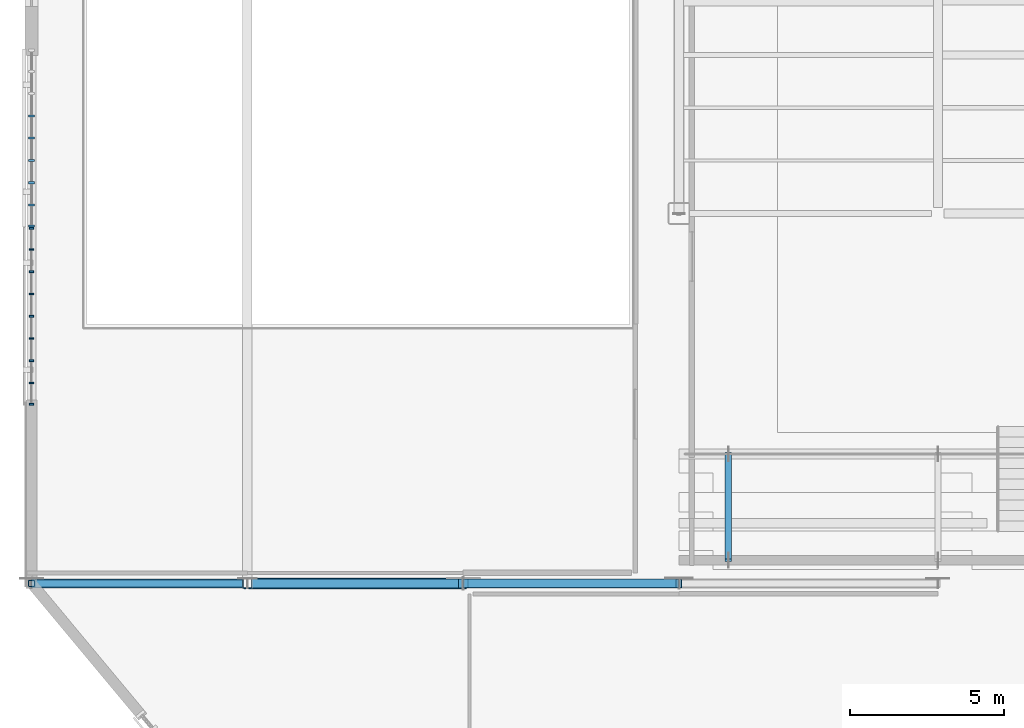
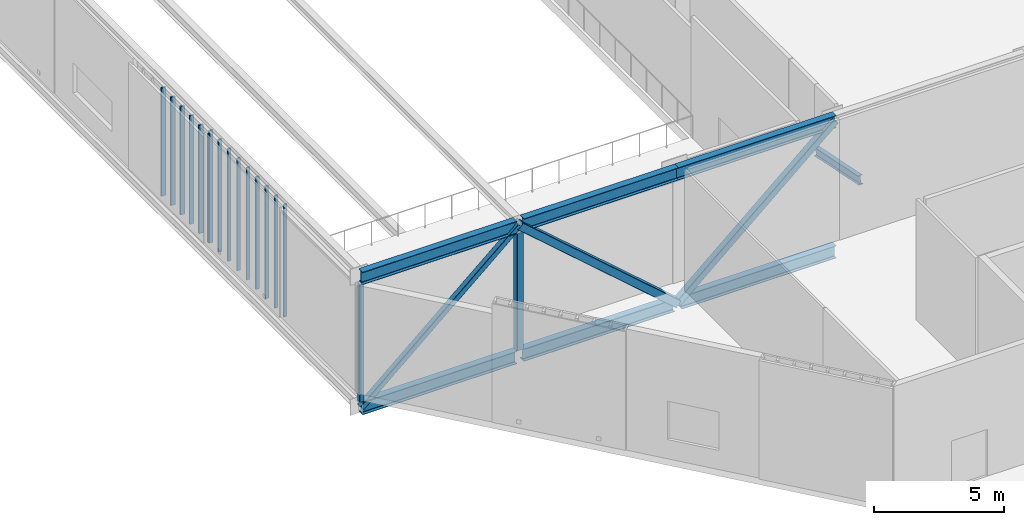
# One storey, part 12 of 135: 21 members, 6 beams, 2 elements without a shape of their own.
"""IFC4 building model written with IfcOpenShell, lengths in metres."""

from ifc_helpers import new_model, si_unit, direction, frame, origin, origin_2d, place, context, subcontext, project, spatial, rectangle, hollow_rectangle, i_section, extrude, material, material_profile, profile_set, type_object, element, aggregate, save


model = new_model("IFC4")

# Units and contexts
model_context = context("Model", 3, precision=1e-05, world=origin(), true_north=direction((0.0, 1.0)))
body_context = subcontext(model_context, "Body", "Model", "MODEL_VIEW")
ifc_project = project(units=[si_unit("LENGTHUNIT", "METRE"), si_unit("AREAUNIT", "SQUARE_METRE"), si_unit("VOLUMEUNIT", "CUBIC_METRE"), si_unit("PLANEANGLEUNIT", "RADIAN"), si_unit("MASSUNIT", "GRAM", prefix="KILO")], contexts=[model_context])

# Site, building, storey
site_placement = place(None, origin())
site = spatial("IfcSite", under=ifc_project, at=site_placement, CompositionType="ELEMENT")
building_placement = place(site_placement, origin())
building = spatial("IfcBuilding", under=site, at=building_placement, Name="Larkvane Passage Sports Hall", CompositionType="ELEMENT")
storey_placement = place(building_placement, frame((0.0, 0.0, 10.800048828125)))
storey = spatial("IfcBuildingStorey", under=building, at=storey_placement, Name="L02", CompositionType="ELEMENT", Elevation=10.800048828125)

# Beams
ifc_material_1 = material(Name="Steel S460N", Category="steel")
ifc_material_profile_1 = material_profile(ifc_material_1, i_section(OverallWidth=0.300048828125, OverallDepth=0.587890625, WebThickness=0.011962890625, FlangeThickness=0.02001953125, FilletRadius=0.02197265625, at=origin_2d()), Name="H-588x300x12x20")
ifc_profile_set_1 = profile_set([ifc_material_profile_1], Name="Steel S460N")
beam_type = type_object("IfcBeamType", Name="BM-STL-H588", PredefinedType="BEAM", material=ifc_profile_set_1)
for number, where, z_axis, x_axis, name in (
    (1, (13.800048828125, 39.60009765625, -0.714111328125), (1.0, 0.0, 0.0), (0.0, 1.0, 0.0), "Cantilever truss CT-W2A-1 bottom chord 1"),
    (2, (13.800048828125, 39.60009765625, 5.385986328125), (1.0, 0.0, 0.0), (0.0, 1.0, 0.0), "Cantilever truss CT-W2A-1 top chord 1"),
):
    element("IfcBeam", number, at=place(storey_placement, frame(where, z_axis=z_axis, x_axis=x_axis)), inside=storey, type_object=beam_type, Name=name, PredefinedType="BEAM", context=body_context, shape_type="SweptSolid", body=[
        extrude(i_section(OverallWidth=0.300048828125, OverallDepth=0.587890625, WebThickness=0.011962890625, FlangeThickness=0.02001953125, FilletRadius=0.02197265625, at=origin_2d()), origin(), (0.0, 0.0, 1.0), 6.844970703125),
    ])
beam_1_placement = place(storey_placement, frame((20.955078125, 39.60009765625, -0.714111328125), z_axis=(1.0, 0.0, 0.0), x_axis=(0.0, 1.0, 0.0)))
element("IfcBeam", 3, at=beam_1_placement, inside=storey, type_object=beam_type, Name="Cantilever truss CT-W2A-1 bottom chord 2", PredefinedType="BEAM", context=body_context, shape_type="SweptSolid", body=[
    extrude(i_section(OverallWidth=0.300048828125, OverallDepth=0.587890625, WebThickness=0.011962890625, FlangeThickness=0.02001953125, FilletRadius=0.02197265625, at=origin_2d()), origin(), (0.0, 0.0, 1.0), 6.68994140625),
])
for number, where, z_axis, x_axis, name in (
    (4, (20.955078125, 39.60009765625, 5.385986328125), (1.0, 0.0, 0.0), (0.0, 1.0, 0.0), "Cantilever truss CT-W2A-1 top chord 2"),
    (5, (27.955078125, 39.60009765625, -0.714111328125), (1.0, 0.0, 0.0), (0.0, 1.0, 0.0), "Cantilever truss CT-W2A-1 bottom chord 3"),
):
    element("IfcBeam", number, at=place(storey_placement, frame(where, z_axis=z_axis, x_axis=x_axis)), inside=storey, type_object=beam_type, Name=name, PredefinedType="BEAM", context=body_context, shape_type="SweptSolid", body=[
        extrude(i_section(OverallWidth=0.300048828125, OverallDepth=0.587890625, WebThickness=0.011962890625, FlangeThickness=0.02001953125, FilletRadius=0.02197265625, at=origin_2d()), origin(), (0.0, 0.0, 1.0), 6.844970703125),
    ])
beam_2_placement = place(storey_placement, frame((27.800048828125, 39.60009765625, 5.385986328125), z_axis=(1.0, 0.0, 0.0), x_axis=(0.0, 1.0, 0.0)))
element("IfcBeam", 6, at=beam_2_placement, inside=storey, type_object=beam_type, Name="Cantilever truss CT-W2A-1 top chord 3", PredefinedType="BEAM", context=body_context, shape_type="SweptSolid", body=[
    extrude(i_section(OverallWidth=0.300048828125, OverallDepth=0.587890625, WebThickness=0.011962890625, FlangeThickness=0.02001953125, FilletRadius=0.02197265625, at=origin_2d()), origin(), (0.0, 0.0, 1.0), 7.0),
])

# Curtain wall, members
ifc_material_2 = material(Name="Thermally broken aluminium and low-E glazing", Category="aluminium")
curtain_wall_type_1 = type_object("IfcCurtainWallType", Name="CW-UNIT-COURT", PredefinedType="USERDEFINED", material=ifc_material_2)
curtain_wall_1_placement = place(storey_placement, origin())
curtain_wall_1 = element("IfcCurtainWall", 7, at=curtain_wall_1_placement, inside=storey, type_object=curtain_wall_type_1, Name="Curtain wall CW5-L02-092", ObjectType="UNITISED CURTAIN WALL", PredefinedType="USERDEFINED")
ifc_material_3 = material(Name="Anodised aluminium 6063-T6", Category="aluminium")
ifc_material_profile_2 = material_profile(ifc_material_3, rectangle(XDim=0.06005859375, YDim=0.14990234375, at=origin_2d()), Name="ALU-MUL-60x150")
ifc_profile_set_2 = profile_set([ifc_material_profile_2], Name="Anodised aluminium 6063-T6")
member_type_1 = type_object("IfcMemberType", Name="CW-MUL-60x150", PredefinedType="MULLION", material=ifc_profile_set_2)
member_1_placement = place(storey_placement, frame((13.800048828125, 45.40771484375, 0.0), z_axis=(0.0, 0.0, 1.0), x_axis=(0.0, 1.0, 0.0)))
member_1 = element("IfcMember", 8, at=member_1_placement, type_object=member_type_1, Name="CW-01 mullion 1", PredefinedType="MULLION", context=body_context, shape_type="SweptSolid", body=[
    extrude(rectangle(XDim=0.06005859375, YDim=0.14990234375, at=origin_2d()), origin(), (0.0, 0.0, 1.0), 5.27783203125),
])
member_2_placement = place(storey_placement, frame((13.800048828125, 46.10009765625, 0.0), z_axis=(0.0, 0.0, 1.0), x_axis=(0.0, 1.0, 0.0)))
member_2 = element("IfcMember", 9, at=member_2_placement, type_object=member_type_1, Name="CW-01 mullion 2", PredefinedType="MULLION", context=body_context, shape_type="SweptSolid", body=[
    extrude(rectangle(XDim=0.06005859375, YDim=0.14990234375, at=origin_2d()), origin(), (0.0, 0.0, 1.0), 5.27783203125),
])
member_3_placement = place(storey_placement, frame((13.800048828125, 46.822265625, 0.0), z_axis=(0.0, 0.0, 1.0), x_axis=(0.0, 1.0, 0.0)))
member_3 = element("IfcMember", 10, at=member_3_placement, type_object=member_type_1, Name="CW-01 mullion 3", PredefinedType="MULLION", context=body_context, shape_type="SweptSolid", body=[
    extrude(rectangle(XDim=0.06005859375, YDim=0.14990234375, at=origin_2d()), origin(), (0.0, 0.0, 1.0), 5.27783203125),
])
member_4_placement = place(storey_placement, frame((13.800048828125, 47.54443359375, 0.0), z_axis=(0.0, 0.0, 1.0), x_axis=(0.0, 1.0, 0.0)))
member_4 = element("IfcMember", 11, at=member_4_placement, type_object=member_type_1, Name="CW-01 mullion 4", PredefinedType="MULLION", context=body_context, shape_type="SweptSolid", body=[
    extrude(rectangle(XDim=0.06005859375, YDim=0.14990234375, at=origin_2d()), origin(), (0.0, 0.0, 1.0), 5.27783203125),
])
member_5_placement = place(storey_placement, frame((13.800048828125, 48.2666015625, 0.0), z_axis=(0.0, 0.0, 1.0), x_axis=(0.0, 1.0, 0.0)))
member_5 = element("IfcMember", 12, at=member_5_placement, type_object=member_type_1, Name="CW-01 mullion 5", PredefinedType="MULLION", context=body_context, shape_type="SweptSolid", body=[
    extrude(rectangle(XDim=0.06005859375, YDim=0.14990234375, at=origin_2d()), origin(), (0.0, 0.0, 1.0), 5.27783203125),
])
member_6_placement = place(storey_placement, frame((13.800048828125, 48.989013671875, 0.0), z_axis=(0.0, 0.0, 1.0), x_axis=(0.0, 1.0, 0.0)))
member_6 = element("IfcMember", 13, at=member_6_placement, type_object=member_type_1, Name="CW-01 mullion 6", PredefinedType="MULLION", context=body_context, shape_type="SweptSolid", body=[
    extrude(rectangle(XDim=0.06005859375, YDim=0.14990234375, at=origin_2d()), origin(), (0.0, 0.0, 1.0), 5.27783203125),
])
member_7_placement = place(storey_placement, frame((13.800048828125, 49.711181640625, 0.0), z_axis=(0.0, 0.0, 1.0), x_axis=(0.0, 1.0, 0.0)))
member_7 = element("IfcMember", 14, at=member_7_placement, type_object=member_type_1, Name="CW-01 mullion 7", PredefinedType="MULLION", context=body_context, shape_type="SweptSolid", body=[
    extrude(rectangle(XDim=0.06005859375, YDim=0.14990234375, at=origin_2d()), origin(), (0.0, 0.0, 1.0), 5.27783203125),
])
member_8_placement = place(storey_placement, frame((13.800048828125, 50.433349609375, 0.0), z_axis=(0.0, 0.0, 1.0), x_axis=(0.0, 1.0, 0.0)))
member_8 = element("IfcMember", 15, at=member_8_placement, type_object=member_type_1, Name="CW-01 mullion 8", PredefinedType="MULLION", context=body_context, shape_type="SweptSolid", body=[
    extrude(rectangle(XDim=0.06005859375, YDim=0.14990234375, at=origin_2d()), origin(), (0.0, 0.0, 1.0), 5.27783203125),
])
member_9_placement = place(storey_placement, frame((13.800048828125, 51.12548828125, 0.0), z_axis=(0.0, 0.0, 1.0), x_axis=(0.0, 1.0, 0.0)))
member_9 = element("IfcMember", 16, at=member_9_placement, type_object=member_type_1, Name="CW-01 mullion 9", PredefinedType="MULLION", context=body_context, shape_type="SweptSolid", body=[
    extrude(rectangle(XDim=0.06005859375, YDim=0.14990234375, at=origin_2d()), origin(), (0.0, 0.0, 1.0), 5.27783203125),
])
aggregate(curtain_wall_1, [member_1, member_2, member_3, member_4, member_5, member_6, member_7, member_8, member_9])

curtain_wall_type_2 = type_object("IfcCurtainWallType", Name="CW-UNIT-VEIL", PredefinedType="USERDEFINED", material=ifc_material_2)
curtain_wall_2_placement = place(storey_placement, origin())
curtain_wall_2 = element("IfcCurtainWall", 17, at=curtain_wall_2_placement, inside=storey, type_object=curtain_wall_type_2, Name="Curtain wall CW5-L02-093", ObjectType="UNITISED CURTAIN WALL", PredefinedType="USERDEFINED")
ifc_material_profile_3 = material_profile(ifc_material_3, rectangle(XDim=0.070068359375, YDim=0.199951171875, at=origin_2d()), Name="ALU-MUL-70x200")
ifc_profile_set_3 = profile_set([ifc_material_profile_3], Name="Anodised aluminium 6063-T6")
member_type_2 = type_object("IfcMemberType", Name="CW-MUL-70x200", PredefinedType="MULLION", material=ifc_profile_set_3)
member_10_placement = place(storey_placement, frame((13.800048828125, 51.190673828125, 0.0), z_axis=(0.0, 0.0, 1.0), x_axis=(0.0, 1.0, 0.0)))
member_10 = element("IfcMember", 18, at=member_10_placement, type_object=member_type_2, Name="CW-02 mullion 1", PredefinedType="MULLION", context=body_context, shape_type="SweptSolid", body=[
    extrude(rectangle(XDim=0.070068359375, YDim=0.199951171875, at=origin_2d()), origin(), (0.0, 0.0, 1.0), 5.079833984375),
])
member_11_placement = place(storey_placement, frame((13.800048828125, 51.8779296875, 0.0), z_axis=(0.0, 0.0, 1.0), x_axis=(0.0, 1.0, 0.0)))
member_11 = element("IfcMember", 19, at=member_11_placement, type_object=member_type_2, Name="CW-02 mullion 2", PredefinedType="MULLION", context=body_context, shape_type="SweptSolid", body=[
    extrude(rectangle(XDim=0.070068359375, YDim=0.199951171875, at=origin_2d()), origin(), (0.0, 0.0, 1.0), 5.079833984375),
])
member_12_placement = place(storey_placement, frame((13.800048828125, 52.60009765625, 0.0), z_axis=(0.0, 0.0, 1.0), x_axis=(0.0, 1.0, 0.0)))
member_12 = element("IfcMember", 20, at=member_12_placement, type_object=member_type_2, Name="CW-02 mullion 3", PredefinedType="MULLION", context=body_context, shape_type="SweptSolid", body=[
    extrude(rectangle(XDim=0.070068359375, YDim=0.199951171875, at=origin_2d()), origin(), (0.0, 0.0, 1.0), 5.079833984375),
])
member_13_placement = place(storey_placement, frame((13.800048828125, 53.322265625, 0.0), z_axis=(0.0, 0.0, 1.0), x_axis=(0.0, 1.0, 0.0)))
member_13 = element("IfcMember", 21, at=member_13_placement, type_object=member_type_2, Name="CW-02 mullion 4", PredefinedType="MULLION", context=body_context, shape_type="SweptSolid", body=[
    extrude(rectangle(XDim=0.070068359375, YDim=0.199951171875, at=origin_2d()), origin(), (0.0, 0.0, 1.0), 5.079833984375),
])
member_14_placement = place(storey_placement, frame((13.800048828125, 54.04443359375, 0.0), z_axis=(0.0, 0.0, 1.0), x_axis=(0.0, 1.0, 0.0)))
member_14 = element("IfcMember", 22, at=member_14_placement, type_object=member_type_2, Name="CW-02 mullion 5", PredefinedType="MULLION", context=body_context, shape_type="SweptSolid", body=[
    extrude(rectangle(XDim=0.070068359375, YDim=0.199951171875, at=origin_2d()), origin(), (0.0, 0.0, 1.0), 5.079833984375),
])
member_15_placement = place(storey_placement, frame((13.800048828125, 54.7666015625, 0.0), z_axis=(0.0, 0.0, 1.0), x_axis=(0.0, 1.0, 0.0)))
member_15 = element("IfcMember", 23, at=member_15_placement, type_object=member_type_2, Name="CW-02 mullion 6", PredefinedType="MULLION", context=body_context, shape_type="SweptSolid", body=[
    extrude(rectangle(XDim=0.070068359375, YDim=0.199951171875, at=origin_2d()), origin(), (0.0, 0.0, 1.0), 5.079833984375),
])
aggregate(curtain_wall_2, [member_10, member_11, member_12, member_13, member_14, member_15])

# Members
ifc_material_profile_4 = material_profile(ifc_material_1, hollow_rectangle(XDim=0.25, YDim=0.25, WallThickness=0.011962890625, InnerFilletRadius=0.011962890625, OuterFilletRadius=0.02392578125, at=origin_2d()), Name="SHS-250x250x12")
ifc_profile_set_4 = profile_set([ifc_material_profile_4], Name="Steel S460N")
member_type_3 = type_object("IfcMemberType", Name="MBR-BR-SHS250", PredefinedType="BRACE", material=ifc_profile_set_4)
member_16_placement = place(storey_placement, frame((13.800048828125, 39.60009765625, -0.714111328125), z_axis=(0.753904293317, 0.0, 0.656984258957), x_axis=(0.0, 1.0, 0.0)))
element("IfcMember", 24, at=member_16_placement, inside=storey, type_object=member_type_3, Name="Cantilever truss CT-W2A-1 web diagonal 1", PredefinedType="BRACE", context=body_context, shape_type="SweptSolid", body=[
    extrude(hollow_rectangle(XDim=0.25, YDim=0.25, WallThickness=0.011962890625, InnerFilletRadius=0.011962890625, OuterFilletRadius=0.02392578125, at=origin_2d()), origin(), (0.0, 0.0, 1.0), 9.284912109375),
])
ifc_material_profile_5 = material_profile(ifc_material_1, hollow_rectangle(XDim=0.300048828125, YDim=0.300048828125, WallThickness=0.011962890625, InnerFilletRadius=0.011962890625, OuterFilletRadius=0.02392578125, at=origin_2d()), Name="SHS-300x300x12")
ifc_profile_set_5 = profile_set([ifc_material_profile_5], Name="Steel S460N")
member_type_4 = type_object("IfcMemberType", Name="MBR-BR-SHS300", PredefinedType="BRACE", material=ifc_profile_set_5)
member_17_placement = place(storey_placement, frame((27.800048828125, 39.60009765625, -0.714111328125), z_axis=(0.753904293317, 0.0, 0.656984258957), x_axis=(0.0, 1.0, 0.0)))
element("IfcMember", 25, at=member_17_placement, inside=storey, type_object=member_type_4, Name="Cantilever truss CT-W2A-1 web diagonal 3", PredefinedType="BRACE", context=body_context, shape_type="SweptSolid", body=[
    extrude(hollow_rectangle(XDim=0.300048828125, YDim=0.300048828125, WallThickness=0.011962890625, InnerFilletRadius=0.011962890625, OuterFilletRadius=0.02392578125, at=origin_2d()), origin(), (0.0, 0.0, 1.0), 9.284912109375),
])
ifc_material_profile_6 = material_profile(ifc_material_1, hollow_rectangle(XDim=0.35009765625, YDim=0.35009765625, WallThickness=0.01611328125, InnerFilletRadius=0.01611328125, OuterFilletRadius=0.031982421875, at=origin_2d()), Name="SHS-350x350x16")
ifc_profile_set_6 = profile_set([ifc_material_profile_6], Name="Steel S460N")
member_type_5 = type_object("IfcMemberType", Name="MBR-BR-SHS350", PredefinedType="BRACE", material=ifc_profile_set_6)
member_18_placement = place(storey_placement, frame((20.800048828125, 39.60009765625, 5.385986328125), z_axis=(0.753904293317, 0.0, -0.656984258957), x_axis=(0.0, 1.0, 0.0)))
element("IfcMember", 26, at=member_18_placement, inside=storey, type_object=member_type_5, Name="Cantilever truss CT-W2A-1 web diagonal 2", PredefinedType="BRACE", context=body_context, shape_type="SweptSolid", body=[
    extrude(hollow_rectangle(XDim=0.35009765625, YDim=0.35009765625, WallThickness=0.01611328125, InnerFilletRadius=0.01611328125, OuterFilletRadius=0.031982421875, at=origin_2d()), origin(), (0.0, 0.0, 1.0), 9.284912109375),
])
ifc_material_4 = material(Name="Steel S355JR", Category="steel")
ifc_material_profile_7 = material_profile(ifc_material_4, i_section(OverallWidth=0.199951171875, OverallDepth=0.39990234375, WebThickness=0.008056640625, FlangeThickness=0.012939453125, FilletRadius=0.012939453125, at=origin_2d()), Name="H-400x200x8x13")
ifc_profile_set_7 = profile_set([ifc_material_profile_7], Name="Steel S355JR")
member_type_6 = type_object("IfcMemberType", Name="MBR-RF-H400", PredefinedType="RAFTER", material=ifc_profile_set_7)
member_19_placement = place(storey_placement, frame((36.39990234375, 43.800048828125, 0.849853515625), z_axis=(0.0, -0.980019226989, 0.198902777086), x_axis=(1.0, 0.0, 0.0)))
element("IfcMember", 27, at=member_19_placement, inside=storey, type_object=member_type_6, Name="Arena stand raker S1", PredefinedType="RAFTER", context=body_context, shape_type="SweptSolid", body=[
    extrude(i_section(OverallWidth=0.199951171875, OverallDepth=0.39990234375, WebThickness=0.008056640625, FlangeThickness=0.012939453125, FilletRadius=0.012939453125, at=origin_2d()), origin(), (0.0, 0.0, 1.0), 3.520263671875),
])
ifc_material_profile_8 = material_profile(ifc_material_1, hollow_rectangle(XDim=0.199951171875, YDim=0.199951171875, WallThickness=0.009033203125, InnerFilletRadius=0.009033203125, OuterFilletRadius=0.01806640625, at=origin_2d()), Name="SHS-200x200x9")
ifc_profile_set_8 = profile_set([ifc_material_profile_8], Name="Steel S460N")
member_type_7 = type_object("IfcMemberType", Name="MBR-ST-SHS200", PredefinedType="STRUT", material=ifc_profile_set_8)
member_20_placement = place(storey_placement, frame((13.800048828125, 39.60009765625, -0.420166015625), z_axis=(0.0, 0.0, 1.0), x_axis=(1.0, 0.0, 0.0)))
element("IfcMember", 28, at=member_20_placement, inside=storey, type_object=member_type_7, Name="Cantilever truss CT-W2A-1 vertical post 1", PredefinedType="STRUT", context=body_context, shape_type="SweptSolid", body=[
    extrude(hollow_rectangle(XDim=0.199951171875, YDim=0.199951171875, WallThickness=0.009033203125, InnerFilletRadius=0.009033203125, OuterFilletRadius=0.01806640625, at=origin_2d()), origin(), (0.0, 0.0, 1.0), 5.51220703125),
])
ifc_material_profile_9 = material_profile(ifc_material_1, hollow_rectangle(XDim=0.300048828125, YDim=0.300048828125, WallThickness=0.011962890625, InnerFilletRadius=0.011962890625, OuterFilletRadius=0.02392578125, at=origin_2d()), Name="SHS-300x300x12")
ifc_profile_set_9 = profile_set([ifc_material_profile_9], Name="Steel S460N")
member_type_8 = type_object("IfcMemberType", Name="MBR-ST-SHS300", PredefinedType="STRUT", material=ifc_profile_set_9)
member_21_placement = place(storey_placement, frame((20.800048828125, 39.60009765625, -0.420166015625), z_axis=(0.0, 0.0, 1.0), x_axis=(1.0, 0.0, 0.0)))
element("IfcMember", 29, at=member_21_placement, inside=storey, type_object=member_type_8, Name="Cantilever truss CT-W2A-1 vertical post 2", PredefinedType="STRUT", context=body_context, shape_type="SweptSolid", body=[
    extrude(hollow_rectangle(XDim=0.300048828125, YDim=0.300048828125, WallThickness=0.011962890625, InnerFilletRadius=0.011962890625, OuterFilletRadius=0.02392578125, at=origin_2d()), origin(), (0.0, 0.0, 1.0), 5.51220703125),
])

save(model, "model.ifc")
